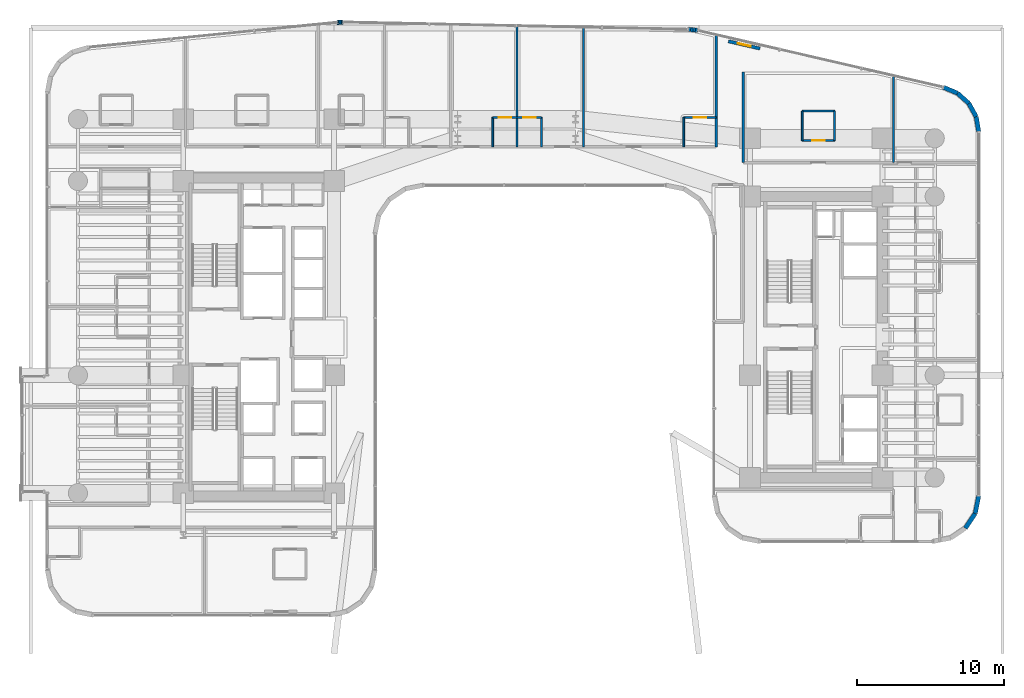
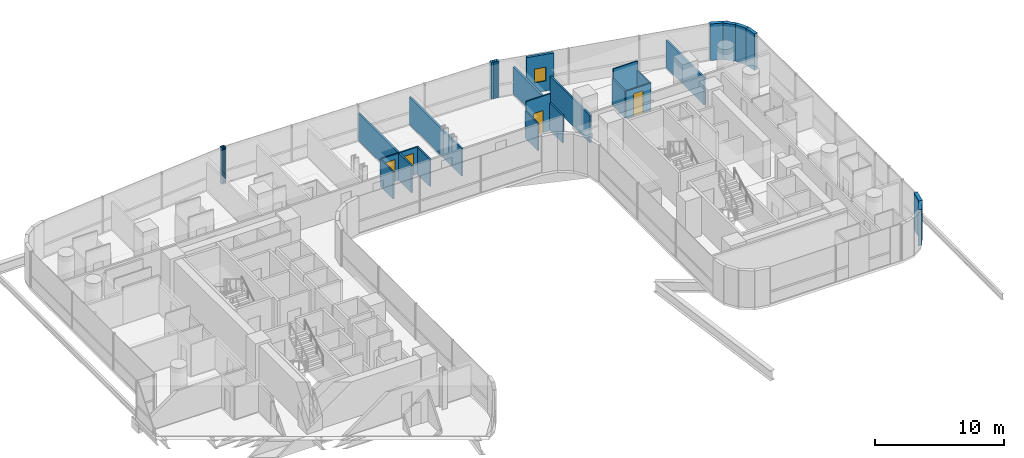
# One storey, part 43 of 50: 30 walls, 4 doors, 1 window, 5 openings.
"""IFC4 building model written with IfcOpenShell, lengths in metres."""

from ifc_helpers import new_model, si_unit, direction, frame, frame_2d, origin, place, context, subcontext, project, spatial, rectangle, extrude, material, layer, layer_set, type_object, element, fill, save


model = new_model("IFC4")

# Units and contexts
model_context = context("Model", 3, precision=1e-05, world=origin(), true_north=direction((0.0, 1.0)))
body_context = subcontext(model_context, "Body", "Model", "MODEL_VIEW")
ifc_project = project(units=[si_unit("LENGTHUNIT", "METRE"), si_unit("AREAUNIT", "SQUARE_METRE"), si_unit("VOLUMEUNIT", "CUBIC_METRE"), si_unit("PLANEANGLEUNIT", "RADIAN"), si_unit("MASSUNIT", "GRAM", prefix="KILO")], contexts=[model_context])

# Site, building, storey
site_placement = place(None, origin())
site = spatial("IfcSite", under=ifc_project, at=site_placement, CompositionType="ELEMENT")
building_placement = place(site_placement, origin())
building = spatial("IfcBuilding", under=site, at=building_placement, Name="Valdorenza Pilgrim Sanctuary Tower", CompositionType="ELEMENT")
storey_placement = place(building_placement, frame((0.0, 0.0, 26.0)))
storey = spatial("IfcBuildingStorey", under=building, at=storey_placement, Name="L05", CompositionType="ELEMENT", Elevation=26.0)

# Walls
ifc_material_1 = material(Name="Acoustic twin-stud gypsum partition", Category="gypsum")
ifc_layer_1 = layer(ifc_material_1, 0.159912109375, Name="Acoustic twin-stud gypsum partition")
ifc_layer_set_1 = layer_set([ifc_layer_1], Name="Acoustic twin-stud gypsum partition")
wall_type_1 = type_object("IfcWallType", Name="WAL-COR-160", PredefinedType="PARTITIONING", material=ifc_layer_set_1)
wall_1_placement = place(storey_placement, frame((13.550048828125, 12.919921875, 0.0), z_axis=(0.0, 0.0, 1.0), x_axis=(0.0, 1.0, 0.0)))
element("IfcWall", 1, at=wall_1_placement, inside=storey, type_object=wall_type_1, Name="L05 North Band East Closure", PredefinedType="PARTITIONING", context=body_context, shape_type="SweptSolid", body=[
    extrude(rectangle(XDim=7.609375, YDim=0.159912109375, at=frame_2d((3.8046875, 0.0))), origin(), (0.0, 0.0, 1.0), 2.5830078125),
])
wall_2_placement = place(storey_placement, frame((15.39990234375, 11.85009765625, 0.0), z_axis=(0.0, 0.0, 1.0), x_axis=(0.0, 1.0, 0.0)))
element("IfcWall", 2, at=wall_2_placement, inside=storey, type_object=wall_type_1, Name="L05 Wing B North West Wall", PredefinedType="PARTITIONING", context=body_context, shape_type="SweptSolid", body=[
    extrude(rectangle(XDim=6.14990234375, YDim=0.159912109375, at=frame_2d((3.074951171875, 0.0))), origin(), (0.0, 0.0, 1.0), 2.5830078125),
])
wall_3_placement = place(storey_placement, frame((25.60009765625, 11.85009765625, 0.0), z_axis=(0.0, 0.0, 1.0), x_axis=(0.0, 1.0, 0.0)))
element("IfcWall", 3, at=wall_3_placement, inside=storey, type_object=wall_type_1, Name="L05 Wing B North East Wall", PredefinedType="PARTITIONING", context=body_context, shape_type="SweptSolid", body=[
    extrude(rectangle(XDim=5.8984375, YDim=0.159912109375, at=frame_2d((2.94921875, 0.0))), origin(), (0.0, 0.0, 1.0), 2.5830078125),
])
ifc_material_2 = material(Name="Honed travertine limestone", Category="masonry")
ifc_layer_2 = layer(ifc_material_2, 0.300048828125, Name="Honed travertine limestone")
ifc_layer_set_2 = layer_set([ifc_layer_2], Name="Honed travertine limestone")
wall_type_2 = type_object("IfcWallType", Name="WAL-EXT-300", PredefinedType="SOLIDWALL", material=ifc_layer_set_2)
wall_4_placement = place(storey_placement, frame((-12.181884765625, 21.371337890625, 0.0), z_axis=(0.0, 0.0, 1.0), x_axis=(0.996527790842, 0.08326080759, 0.0)))
element("IfcWall", 4, at=wall_4_placement, inside=storey, type_object=wall_type_2, Name="L05 Rounded Wind-Corner Stone Pier 7", PredefinedType="SOLIDWALL", context=body_context, shape_type="SweptSolid", body=[
    extrude(rectangle(XDim=0.09375, YDim=0.300048828125, at=frame_2d((0.046875, 0.0))), origin(), (0.0, 0.0, 1.0), 3.4599609375),
])
wall_5_placement = place(storey_placement, frame((-12.08837890625, 21.379150390625, 0.0), z_axis=(0.0, 0.0, 1.0), x_axis=(0.998476480444, 0.055178963393, 0.0)))
element("IfcWall", 5, at=wall_5_placement, inside=storey, type_object=wall_type_2, Name="L05 Rounded Wind-Corner Stone Pier 8", PredefinedType="SOLIDWALL", context=body_context, shape_type="SweptSolid", body=[
    extrude(rectangle(XDim=0.093017578125, YDim=0.300048828125, at=frame_2d((0.04638671875, 0.0))), origin(), (0.0, 0.0, 1.0), 3.4599609375),
])
wall_6_placement = place(storey_placement, frame((-11.99560546875, 21.38427734375, 0.0), z_axis=(0.0, 0.0, 1.0), x_axis=(0.999722573757, 0.023553673204, 0.0)))
element("IfcWall", 6, at=wall_6_placement, inside=storey, type_object=wall_type_2, Name="L05 Rounded Wind-Corner Stone Pier 9", PredefinedType="SOLIDWALL", context=body_context, shape_type="SweptSolid", body=[
    extrude(rectangle(XDim=0.09326171875, YDim=0.300048828125, at=frame_2d((0.046630859375, 0.0))), origin(), (0.0, 0.0, 1.0), 3.4599609375),
])
wall_7_placement = place(storey_placement, frame((-11.90234375, 21.386474609375, 0.0), z_axis=(0.0, 0.0, 1.0), x_axis=(0.999986507273, -0.005194735103, 0.0)))
element("IfcWall", 7, at=wall_7_placement, inside=storey, type_object=wall_type_2, Name="L05 Rounded Wind-Corner Stone Pier 10", PredefinedType="SOLIDWALL", context=body_context, shape_type="SweptSolid", body=[
    extrude(rectangle(XDim=0.093994140625, YDim=0.300048828125, at=frame_2d((0.046875, 0.0))), origin(), (0.0, 0.0, 1.0), 3.4599609375),
])
wall_8_placement = place(storey_placement, frame((11.665771484375, 20.89697265625, 0.0), z_axis=(0.0, 0.0, 1.0), x_axis=(0.998885297239, -0.047203421059, 0.0)))
element("IfcWall", 8, at=wall_8_placement, inside=storey, type_object=wall_type_2, Name="L05 Rounded Wind-Corner Stone Pier 12", PredefinedType="SOLIDWALL", context=body_context, shape_type="SweptSolid", body=[
    extrude(rectangle(XDim=0.160400390625, YDim=0.300048828125, at=frame_2d((0.080078125, 0.0))), origin(), (0.0, 0.0, 1.0), 3.4599609375),
])
wall_9_placement = place(storey_placement, frame((11.825927734375, 20.889404296875, 0.0), z_axis=(0.0, 0.0, 1.0), x_axis=(0.995172891136, -0.098137234257, 0.0)))
element("IfcWall", 9, at=wall_9_placement, inside=storey, type_object=wall_type_2, Name="L05 Rounded Wind-Corner Stone Pier 13", PredefinedType="SOLIDWALL", context=body_context, shape_type="SweptSolid", body=[
    extrude(rectangle(XDim=0.1591796875, YDim=0.300048828125, at=frame_2d((0.07958984375, 0.0))), origin(), (0.0, 0.0, 1.0), 3.4599609375),
])
wall_10_placement = place(storey_placement, frame((11.984375, 20.873779296875, 0.0), z_axis=(0.0, 0.0, 1.0), x_axis=(0.988846069207, -0.148941100486, 0.0)))
element("IfcWall", 10, at=wall_10_placement, inside=storey, type_object=wall_type_2, Name="L05 Rounded Wind-Corner Stone Pier 14", PredefinedType="SOLIDWALL", context=body_context, shape_type="SweptSolid", body=[
    extrude(rectangle(XDim=0.158935546875, YDim=0.300048828125, at=frame_2d((0.07958984375, 0.0))), origin(), (0.0, 0.0, 1.0), 3.4599609375),
])
wall_11_placement = place(storey_placement, frame((12.1416015625, 20.85009765625, 0.0), z_axis=(0.0, 0.0, 1.0), x_axis=(0.979991950448, -0.19903712482, 0.0)))
element("IfcWall", 11, at=wall_11_placement, inside=storey, type_object=wall_type_2, Name="L05 Rounded Wind-Corner Stone Pier 15", PredefinedType="SOLIDWALL", context=body_context, shape_type="SweptSolid", body=[
    extrude(rectangle(XDim=0.16064453125, YDim=0.300048828125, at=frame_2d((0.080322265625, 0.0))), origin(), (0.0, 0.0, 1.0), 3.4599609375),
])

# Wall, opening, window
wall_12_placement = place(storey_placement, frame((14.388671875, 20.089599609375, 0.0), z_axis=(0.0, 0.0, 1.0), x_axis=(0.974400545997, -0.224818984875, 0.0)))
wall_12 = element("IfcWall", 12, at=wall_12_placement, inside=storey, type_object=wall_type_2, Name="L05 Operable Ventilation Sash Jamb Pier", PredefinedType="SOLIDWALL", context=body_context, shape_type="SweptSolid", body=[
    extrude(rectangle(XDim=2.2001953125, YDim=0.219970703125, at=frame_2d((1.10009765625, 0.0))), origin(), (0.0, 0.0, 1.0), 3.4599609375),
])
opening_1_placement = place(wall_12_placement, frame((0.64990234375, 0.0, 0.949951171875)))
opening_1 = element("IfcOpeningElement", 13, at=opening_1_placement, cuts=wall_12, Name="Opening WN-OP1", PredefinedType="OPENING", context=body_context, shape_type="SweptSolid", body=[
    extrude(rectangle(XDim=0.89990234375, YDim=1.300048828125, at=frame_2d((0.449951171875, 0.64990234375))), frame((0.0, 0.125, 0.0), z_axis=(0.0, -1.0, 0.0), x_axis=(1.0, 0.0, 0.0)), (0.0, 0.0, 1.0), 0.249755859375),
])
ifc_material_3 = material(Name="Ceramic-fritted low-E IGU glazing", Category="glass")
window_type = type_object("IfcWindowType", Name="WIN-OPN-900", PartitioningType="SINGLE_PANEL", PredefinedType="WINDOW", material=ifc_material_3)
window_placement = place(opening_1_placement, origin())
window = element("IfcWindow", 14, at=window_placement, inside=storey, type_object=window_type, Name="L05 Parallel-Pop-Out Operable Facade Panel", OverallHeight=1.300048828125, OverallWidth=0.89990234375, PartitioningType="SINGLE_PANEL", PredefinedType="WINDOW", context=body_context, shape_type="SweptSolid", body=[
    extrude(rectangle(XDim=0.89990234375, YDim=1.300048828125, at=frame_2d((0.449951171875, 0.64990234375))), frame((0.0, 0.030029296875, 0.0), z_axis=(0.0, -1.0, 0.0), x_axis=(1.0, 0.0, 0.0)), (0.0, 0.0, 1.0), 0.06005859375),
])
fill(opening_1, window)

# Walls
wall_13_placement = place(storey_placement, frame((28.98583984375, 16.96728515625, 0.0), z_axis=(0.0, 0.0, 1.0), x_axis=(0.923083852684, -0.384598753136, 0.0)))
element("IfcWall", 15, at=wall_13_placement, inside=storey, type_object=wall_type_2, Name="L05 Rounded Wind-Corner Stone Pier 17", PredefinedType="SOLIDWALL", context=body_context, shape_type="SweptSolid", body=[
    extrude(rectangle(XDim=1.042236328125, YDim=0.300048828125, at=frame_2d((0.52099609375, 0.0))), origin(), (0.0, 0.0, 1.0), 3.4599609375),
])
wall_14_placement = place(storey_placement, frame((29.947998046875, 16.56640625, 0.0), z_axis=(0.0, 0.0, 1.0), x_axis=(0.744585645533, -0.66752694063, 0.0)))
element("IfcWall", 16, at=wall_14_placement, inside=storey, type_object=wall_type_2, Name="L05 Rounded Wind-Corner Stone Pier 18", PredefinedType="SOLIDWALL", context=body_context, shape_type="SweptSolid", body=[
    extrude(rectangle(XDim=1.032958984375, YDim=0.300048828125, at=frame_2d((0.5166015625, 0.0))), origin(), (0.0, 0.0, 1.0), 3.4599609375),
])
wall_15_placement = place(storey_placement, frame((30.717041015625, 15.876953125, 0.0), z_axis=(0.0, 0.0, 1.0), x_axis=(0.482971098131, -0.875636293429, 0.0)))
element("IfcWall", 17, at=wall_15_placement, inside=storey, type_object=wall_type_2, Name="L05 Rounded Wind-Corner Stone Pier 19", PredefinedType="SOLIDWALL", context=body_context, shape_type="SweptSolid", body=[
    extrude(rectangle(XDim=1.03271484375, YDim=0.300048828125, at=frame_2d((0.516357421875, 0.0))), origin(), (0.0, 0.0, 1.0), 3.4599609375),
])
wall_16_placement = place(storey_placement, frame((31.2158203125, 14.97265625, 0.0), z_axis=(0.0, 0.0, 1.0), x_axis=(0.167019462117, -0.985953598946, 0.0)))
element("IfcWall", 18, at=wall_16_placement, inside=storey, type_object=wall_type_2, Name="L05 Rounded Wind-Corner Stone Pier 20", PredefinedType="SOLIDWALL", context=body_context, shape_type="SweptSolid", body=[
    extrude(rectangle(XDim=1.042236328125, YDim=0.300048828125, at=frame_2d((0.52099609375, 0.0))), origin(), (0.0, 0.0, 1.0), 3.4599609375),
])
wall_17_placement = place(storey_placement, frame((31.389892578125, -10.789306640625, 0.0), z_axis=(0.0, 0.0, 1.0), x_axis=(-0.194996050505, -0.980804027463, 0.0)))
element("IfcWall", 19, at=wall_17_placement, inside=storey, type_object=wall_type_2, Name="L05 Rounded Wind-Corner Stone Pier 22", PredefinedType="SOLIDWALL", context=body_context, shape_type="SweptSolid", body=[
    extrude(rectangle(XDim=1.2158203125, YDim=0.300048828125, at=frame_2d((0.60791015625, 0.0))), origin(), (0.0, 0.0, 1.0), 3.4599609375),
])
wall_18_placement = place(storey_placement, frame((31.15283203125, -11.981689453125, 0.0), z_axis=(0.0, 0.0, 1.0), x_axis=(-0.555635100982, -0.831426265255, 0.0)))
element("IfcWall", 20, at=wall_18_placement, inside=storey, type_object=wall_type_2, Name="L05 Rounded Wind-Corner Stone Pier 23", PredefinedType="SOLIDWALL", context=body_context, shape_type="SweptSolid", body=[
    extrude(rectangle(XDim=1.204833984375, YDim=0.300048828125, at=frame_2d((0.6025390625, 0.0))), origin(), (0.0, 0.0, 1.0), 3.4599609375),
])
ifc_material_4 = material(Name="Moisture-resistant gypsum partition", Category="gypsum")
ifc_layer_3 = layer(ifc_material_4, 0.1201171875, Name="Moisture-resistant gypsum partition")
ifc_layer_set_3 = layer_set([ifc_layer_3], Name="Moisture-resistant gypsum partition")
wall_type_3 = type_object("IfcWallType", Name="WAL-INT-120", PredefinedType="PARTITIONING", material=ifc_layer_set_3)
wall_19_placement = place(storey_placement, frame((-1.614990234375, 12.919921875, 0.0), z_axis=(0.0, 0.0, 1.0), x_axis=(0.0, 1.0, 0.0)))
element("IfcWall", 21, at=wall_19_placement, inside=storey, type_object=wall_type_3, Name="L05 North Guest Room L05-N4A En-suite West Wall", PredefinedType="PARTITIONING", context=body_context, shape_type="SweptSolid", body=[
    extrude(rectangle(XDim=2.0, YDim=0.1201171875, at=frame_2d((1.0, 0.0))), origin(), (0.0, 0.0, 1.0), 2.5830078125),
])

# Wall, opening, door
wall_20_placement = place(storey_placement, frame((-1.614990234375, 14.919921875, 0.0), z_axis=(0.0, 0.0, 1.0), x_axis=(1.0, 0.0, 0.0)))
wall_20 = element("IfcWall", 22, at=wall_20_placement, inside=storey, type_object=wall_type_3, Name="L05 North Guest Room L05-N4A En-suite Door Wall", PredefinedType="PARTITIONING", context=body_context, shape_type="SweptSolid", body=[
    extrude(rectangle(XDim=1.64990234375, YDim=0.1201171875, at=frame_2d((0.824951171875, 0.0))), origin(), (0.0, 0.0, 1.0), 2.5830078125),
])
opening_2_placement = place(wall_20_placement, frame((0.39990234375, 0.0, 0.0)))
opening_2 = element("IfcOpeningElement", 23, at=opening_2_placement, cuts=wall_20, Name="Opening DR-WC1", PredefinedType="OPENING", context=body_context, shape_type="SweptSolid", body=[
    extrude(rectangle(XDim=0.85009765625, YDim=2.10009765625, at=frame_2d((0.425048828125, 1.050048828125))), frame((0.0, 0.074951171875, 0.0), z_axis=(0.0, -1.0, 0.0), x_axis=(1.0, 0.0, 0.0)), (0.0, 0.0, 1.0), 0.14990234375),
])
ifc_material_5 = material(Name="Moisture-resistant lacquered timber", Category="wood")
door_type = type_object("IfcDoorType", Name="DR-BATH-850", OperationType="NOTDEFINED", PredefinedType="DOOR", material=ifc_material_5)
door_1_placement = place(opening_2_placement, origin())
door_1 = element("IfcDoor", 24, at=door_1_placement, inside=storey, type_object=door_type, Name="L05 North Guest Room L05-N4A En-suite Bathroom Door", OperationType="SINGLE_SWING_RIGHT", OverallHeight=2.10009765625, OverallWidth=0.85009765625, PredefinedType="DOOR", context=body_context, shape_type="SweptSolid", body=[
    extrude(rectangle(XDim=0.85009765625, YDim=2.10009765625, at=frame_2d((0.425048828125, 1.050048828125))), frame((0.0, 0.02490234375, 0.0), z_axis=(0.0, -1.0, 0.0), x_axis=(1.0, 0.0, 0.0)), (0.0, 0.0, 1.0), 0.050048828125),
])
fill(opening_2, door_1)

# Wall
wall_21_placement = place(storey_placement, frame((1.68505859375, 12.919921875, 0.0), z_axis=(0.0, 0.0, 1.0), x_axis=(0.0, 1.0, 0.0)))
element("IfcWall", 25, at=wall_21_placement, inside=storey, type_object=wall_type_3, Name="L05 North Guest Room L05-N4B En-suite East Wall", PredefinedType="PARTITIONING", context=body_context, shape_type="SweptSolid", body=[
    extrude(rectangle(XDim=2.0, YDim=0.1201171875, at=frame_2d((1.0, 0.0))), origin(), (0.0, 0.0, 1.0), 2.5830078125),
])

# Wall, opening, door
wall_22_placement = place(storey_placement, frame((0.034912109375, 14.919921875, 0.0), z_axis=(0.0, 0.0, 1.0), x_axis=(1.0, 0.0, 0.0)))
wall_22 = element("IfcWall", 26, at=wall_22_placement, inside=storey, type_object=wall_type_3, Name="L05 North Guest Room L05-N4B En-suite Door Wall", PredefinedType="PARTITIONING", context=body_context, shape_type="SweptSolid", body=[
    extrude(rectangle(XDim=1.650146484375, YDim=0.1201171875, at=frame_2d((0.8251953125, 0.0))), origin(), (0.0, 0.0, 1.0), 2.5830078125),
])
opening_3_placement = place(wall_22_placement, frame((0.39990234375, 0.0, 0.0)))
opening_3 = element("IfcOpeningElement", 27, at=opening_3_placement, cuts=wall_22, Name="Opening DR-WC1", PredefinedType="OPENING", context=body_context, shape_type="SweptSolid", body=[
    extrude(rectangle(XDim=0.85009765625, YDim=2.10009765625, at=frame_2d((0.425048828125, 1.050048828125))), frame((0.0, 0.074951171875, 0.0), z_axis=(0.0, -1.0, 0.0), x_axis=(1.0, 0.0, 0.0)), (0.0, 0.0, 1.0), 0.14990234375),
])
door_2_placement = place(opening_3_placement, origin())
door_2 = element("IfcDoor", 28, at=door_2_placement, inside=storey, type_object=door_type, Name="L05 North Guest Room L05-N4B En-suite Bathroom Door", OperationType="SINGLE_SWING_RIGHT", OverallHeight=2.10009765625, OverallWidth=0.85009765625, PredefinedType="DOOR", context=body_context, shape_type="SweptSolid", body=[
    extrude(rectangle(XDim=0.85009765625, YDim=2.10009765625, at=frame_2d((0.425048828125, 1.050048828125))), frame((0.0, 0.02490234375, 0.0), z_axis=(0.0, -1.0, 0.0), x_axis=(1.0, 0.0, 0.0)), (0.0, 0.0, 1.0), 0.050048828125),
])
fill(opening_3, door_2)

# Wall
wall_23_placement = place(storey_placement, frame((11.35009765625, 12.919921875, 0.0), z_axis=(0.0, 0.0, 1.0), x_axis=(0.0, 1.0, 0.0)))
element("IfcWall", 29, at=wall_23_placement, inside=storey, type_object=wall_type_3, Name="L05 North Guest Room L05-N5 En-suite West Wall", PredefinedType="PARTITIONING", context=body_context, shape_type="SweptSolid", body=[
    extrude(rectangle(XDim=2.0, YDim=0.1201171875, at=frame_2d((1.0, 0.0))), origin(), (0.0, 0.0, 1.0), 2.5830078125),
])

# Wall, opening, door
wall_24_placement = place(storey_placement, frame((11.35009765625, 14.919921875, 0.0), z_axis=(0.0, 0.0, 1.0), x_axis=(1.0, 0.0, 0.0)))
wall_24 = element("IfcWall", 30, at=wall_24_placement, inside=storey, type_object=wall_type_3, Name="L05 North Guest Room L05-N5 En-suite Door Wall", PredefinedType="PARTITIONING", context=body_context, shape_type="SweptSolid", body=[
    extrude(rectangle(XDim=2.199951171875, YDim=0.1201171875, at=frame_2d((1.10009765625, 0.0))), origin(), (0.0, 0.0, 1.0), 3.4599609375),
])
opening_4_placement = place(wall_24_placement, frame((0.675048828125, 0.0, 0.0)))
opening_4 = element("IfcOpeningElement", 31, at=opening_4_placement, cuts=wall_24, Name="Opening DR-WC1", PredefinedType="OPENING", context=body_context, shape_type="SweptSolid", body=[
    extrude(rectangle(XDim=0.85009765625, YDim=2.10009765625, at=frame_2d((0.425048828125, 1.050048828125))), frame((0.0, 0.074951171875, 0.0), z_axis=(0.0, -1.0, 0.0), x_axis=(1.0, 0.0, 0.0)), (0.0, 0.0, 1.0), 0.14990234375),
])
door_3_placement = place(opening_4_placement, origin())
door_3 = element("IfcDoor", 32, at=door_3_placement, inside=storey, type_object=door_type, Name="L05 North Guest Room L05-N5 En-suite Bathroom Door", OperationType="SINGLE_SWING_RIGHT", OverallHeight=2.10009765625, OverallWidth=0.85009765625, PredefinedType="DOOR", context=body_context, shape_type="SweptSolid", body=[
    extrude(rectangle(XDim=0.85009765625, YDim=2.10009765625, at=frame_2d((0.425048828125, 1.050048828125))), frame((0.0, 0.02490234375, 0.0), z_axis=(0.0, -1.0, 0.0), x_axis=(1.0, 0.0, 0.0)), (0.0, 0.0, 1.0), 0.050048828125),
])
fill(opening_4, door_3)

# Walls
for number, where, z_axis, x_axis, name in (
    (33, (19.39990234375, 13.35009765625, 0.0), (0.0, 0.0, 1.0), (0.0, 1.0, 0.0), "L05 East North Guest Room L05-EN1 En-suite West Wall"),
    (34, (21.60009765625, 13.35009765625, 0.0), (0.0, 0.0, 1.0), (0.0, 1.0, 0.0), "L05 East North Guest Room L05-EN1 En-suite East Wall"),
):
    element("IfcWall", number, at=place(storey_placement, frame(where, z_axis=z_axis, x_axis=x_axis)), inside=storey, type_object=wall_type_3, Name=name, PredefinedType="PARTITIONING", context=body_context, shape_type="SweptSolid", body=[
        extrude(rectangle(XDim=2.0, YDim=0.1201171875, at=frame_2d((1.0, 0.0))), origin(), (0.0, 0.0, 1.0), 2.5830078125),
    ])
wall_25_placement = place(storey_placement, frame((19.39990234375, 15.35009765625, 0.0), z_axis=(0.0, 0.0, 1.0), x_axis=(1.0, 0.0, 0.0)))
element("IfcWall", 35, at=wall_25_placement, inside=storey, type_object=wall_type_3, Name="L05 East North Guest Room L05-EN1 En-suite Back Wall", PredefinedType="PARTITIONING", context=body_context, shape_type="SweptSolid", body=[
    extrude(rectangle(XDim=2.2001953125, YDim=0.1201171875, at=frame_2d((1.10009765625, 0.0))), origin(), (0.0, 0.0, 1.0), 3.4599609375),
])

# Wall, opening, door
wall_26_placement = place(storey_placement, frame((19.39990234375, 13.35009765625, 0.0), z_axis=(0.0, 0.0, 1.0), x_axis=(1.0, 0.0, 0.0)))
wall_26 = element("IfcWall", 36, at=wall_26_placement, inside=storey, type_object=wall_type_3, Name="L05 East North Guest Room L05-EN1 En-suite Door Wall", PredefinedType="PARTITIONING", context=body_context, shape_type="SweptSolid", body=[
    extrude(rectangle(XDim=2.2001953125, YDim=0.1201171875, at=frame_2d((1.10009765625, 0.0))), origin(), (0.0, 0.0, 1.0), 2.5830078125),
])
opening_5_placement = place(wall_26_placement, frame((0.675048828125, 0.0, 0.0)))
opening_5 = element("IfcOpeningElement", 37, at=opening_5_placement, cuts=wall_26, Name="Opening DR-WC1", PredefinedType="OPENING", context=body_context, shape_type="SweptSolid", body=[
    extrude(rectangle(XDim=0.85009765625, YDim=2.10009765625, at=frame_2d((0.425048828125, 1.050048828125))), frame((0.0, 0.074951171875, 0.0), z_axis=(0.0, -1.0, 0.0), x_axis=(1.0, 0.0, 0.0)), (0.0, 0.0, 1.0), 0.14990234375),
])
door_4_placement = place(opening_5_placement, origin())
door_4 = element("IfcDoor", 38, at=door_4_placement, inside=storey, type_object=door_type, Name="L05 East North Guest Room L05-EN1 En-suite Bathroom Door", OperationType="SINGLE_SWING_RIGHT", OverallHeight=2.10009765625, OverallWidth=0.85009765625, PredefinedType="DOOR", context=body_context, shape_type="SweptSolid", body=[
    extrude(rectangle(XDim=0.85009765625, YDim=2.10009765625, at=frame_2d((0.425048828125, 1.050048828125))), frame((0.0, 0.02490234375, 0.0), z_axis=(0.0, -1.0, 0.0), x_axis=(1.0, 0.0, 0.0)), (0.0, 0.0, 1.0), 0.050048828125),
])
fill(opening_5, door_4)

# Walls
ifc_layer_4 = layer(ifc_material_1, 0.14990234375, Name="Acoustic twin-stud gypsum partition")
ifc_layer_set_4 = layer_set([ifc_layer_4], Name="Acoustic twin-stud gypsum partition")
wall_type_4 = type_object("IfcWallType", Name="WAL-UNT-150", PredefinedType="PARTITIONING", material=ifc_layer_set_4)
wall_27_placement = place(storey_placement, frame((4.5400390625, 12.919921875, 0.0), z_axis=(0.0, 0.0, 1.0), x_axis=(0.0, 1.0, 0.0)))
element("IfcWall", 39, at=wall_27_placement, inside=storey, type_object=wall_type_4, Name="L05 North Demising 4", PredefinedType="PARTITIONING", context=body_context, shape_type="SweptSolid", body=[
    extrude(rectangle(XDim=8.12548828125, YDim=0.14990234375, at=frame_2d((4.062744140625, 0.0))), origin(), (0.0, 0.0, 1.0), 2.5830078125),
])
wall_28_placement = place(storey_placement, frame((0.034912109375, 12.919921875, 0.0), z_axis=(0.0, 0.0, 1.0), x_axis=(0.0, 1.0, 0.0)))
element("IfcWall", 40, at=wall_28_placement, inside=storey, type_object=wall_type_4, Name="L05 North Guest Room L05-N4 Split Wall", PredefinedType="PARTITIONING", context=body_context, shape_type="SweptSolid", body=[
    extrude(rectangle(XDim=8.219482421875, YDim=0.14990234375, at=frame_2d((4.10986328125, 0.0))), origin(), (0.0, 0.0, 1.0), 2.5830078125),
])

save(model, "model.ifc")
